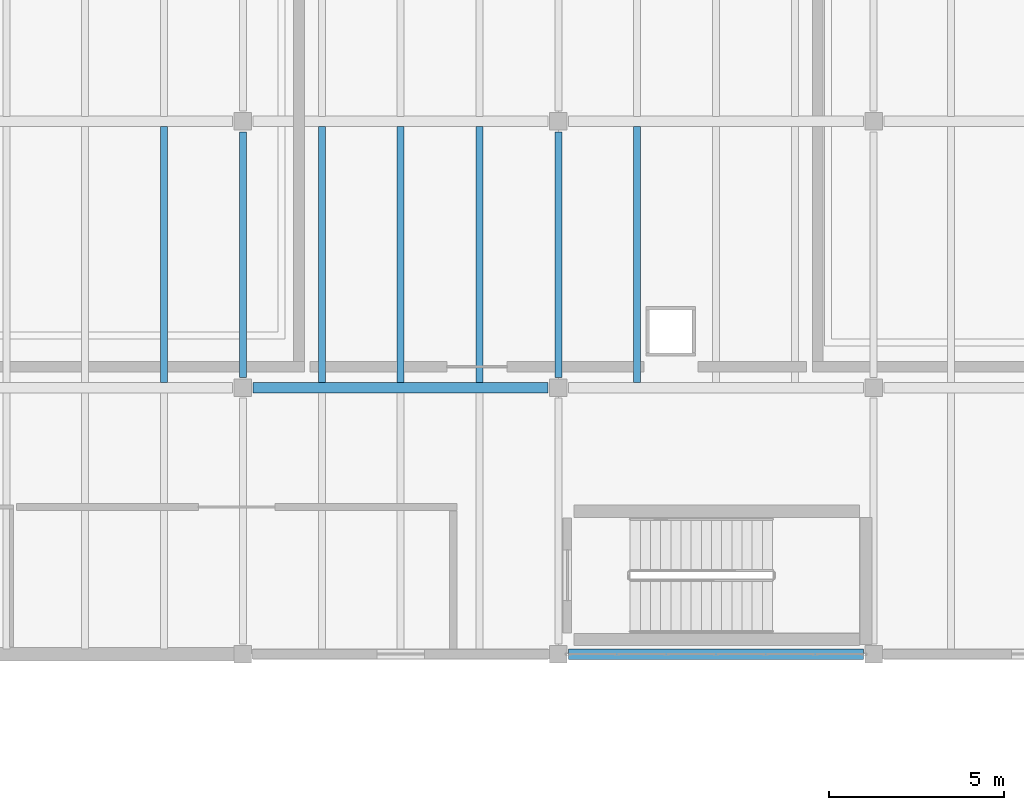
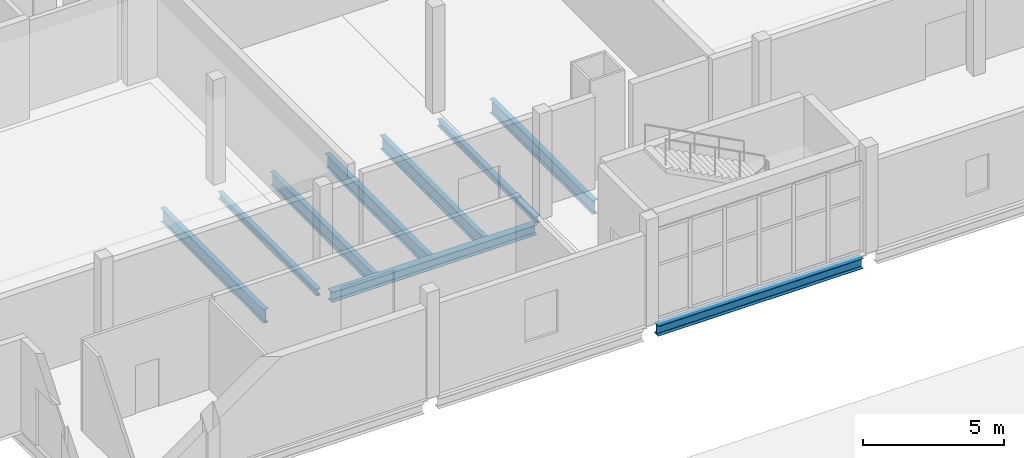
# One storey, part 43 of 74: 9 beams.
"""IFC4 building model written with IfcOpenShell, lengths in metres."""

from ifc_helpers import new_model, si_unit, direction, frame, origin, origin_2d, place, context, subcontext, project, spatial, i_section, extrude, material, material_profile, profile_set, type_object, element, save


model = new_model("IFC4")

# Units and contexts
model_context = context("Model", 3, precision=1e-05, world=origin(), true_north=direction((0.0, 1.0)))
body_context = subcontext(model_context, "Body", "Model", "MODEL_VIEW")
ifc_project = project(units=[si_unit("LENGTHUNIT", "METRE"), si_unit("AREAUNIT", "SQUARE_METRE"), si_unit("VOLUMEUNIT", "CUBIC_METRE"), si_unit("PLANEANGLEUNIT", "RADIAN"), si_unit("MASSUNIT", "GRAM", prefix="KILO")], contexts=[model_context])

# Site, building, storey
site_placement = place(None, origin())
site = spatial("IfcSite", under=ifc_project, at=site_placement, CompositionType="ELEMENT")
building_placement = place(site_placement, origin())
building = spatial("IfcBuilding", under=site, at=building_placement, Name="Shengluoqiao Park Theatre", CompositionType="ELEMENT")
storey_placement = place(building_placement, frame((0.0, 0.0, 14.60009765625)))
storey = spatial("IfcBuildingStorey", under=building, at=storey_placement, Name="L03", CompositionType="ELEMENT", Elevation=14.60009765625)

# Beams
ifc_material = material(Name="Steel Q355", Category="steel")
ifc_material_profile_1 = material_profile(ifc_material, i_section(OverallWidth=0.199951171875, OverallDepth=0.2939453125, WebThickness=0.008056640625, FlangeThickness=0.011962890625, FilletRadius=0.01611328125, at=origin_2d()), Name="HM 294x200x8x12")
ifc_profile_set_1 = profile_set([ifc_material_profile_1], Name="Steel Q355")
beam_type_1 = type_object("IfcBeamType", Name="STR-BM-G-HM294", PredefinedType="BEAM", material=ifc_profile_set_1)
for number, where, z_axis, x_axis, name in (
    (1, (130.39990234375, 91.89404296875, -0.38720703125), (0.0, 1.0, 0.0), (-1.0, 0.0, 0.0), "L03 Transverse Girder 01392"),
    (2, (139.39990234375, 91.89404296875, -0.38720703125), (0.0, 1.0, 0.0), (-1.0, 0.0, 0.0), "L03 Transverse Girder 01396"),
):
    element("IfcBeam", number, at=place(storey_placement, frame(where, z_axis=z_axis, x_axis=x_axis)), inside=storey, type_object=beam_type_1, Name=name, PredefinedType="BEAM", context=body_context, shape_type="SweptSolid", body=[
        extrude(i_section(OverallWidth=0.199951171875, OverallDepth=0.2939453125, WebThickness=0.008056640625, FlangeThickness=0.011962890625, FilletRadius=0.01611328125, at=origin_2d()), origin(), (0.0, 0.0, 1.0), 7.011962890625),
    ])
ifc_material_profile_2 = material_profile(ifc_material, i_section(OverallWidth=0.300048828125, OverallDepth=0.43994140625, WebThickness=0.010986328125, FlangeThickness=0.01806640625, FilletRadius=0.02001953125, at=origin_2d()), Name="HM 440x300x11x18")
ifc_profile_set_2 = profile_set([ifc_material_profile_2], Name="Steel Q355")
beam_type_2 = type_object("IfcBeamType", Name="STR-BM-G-HM440", PredefinedType="BEAM", material=ifc_profile_set_2)
for number, where, z_axis, x_axis, name in (
    (3, (130.694091796875, 91.60009765625, -0.460205078125), (1.0, 0.0, 0.0), (0.0, 1.0, 0.0), "L03 Primary Girder 01377"),
    (4, (139.694091796875, 84.0, -0.460205078125), (1.0, 0.0, 0.0), (0.0, 1.0, 0.0), "L03 Primary Girder 01429"),
):
    element("IfcBeam", number, at=place(storey_placement, frame(where, z_axis=z_axis, x_axis=x_axis)), inside=storey, type_object=beam_type_2, Name=name, PredefinedType="BEAM", context=body_context, shape_type="SweptSolid", body=[
        extrude(i_section(OverallWidth=0.300048828125, OverallDepth=0.43994140625, WebThickness=0.010986328125, FlangeThickness=0.01806640625, FilletRadius=0.02001953125, at=origin_2d()), origin(), (0.0, 0.0, 1.0), 8.411865234375),
    ])
ifc_material_profile_3 = material_profile(ifc_material, i_section(OverallWidth=0.199951171875, OverallDepth=0.60009765625, WebThickness=0.010986328125, FlangeThickness=0.01708984375, FilletRadius=0.02001953125, at=origin_2d()), Name="HN 600x200x11x17")
ifc_profile_set_3 = profile_set([ifc_material_profile_3], Name="Steel Q355")
beam_type_3 = type_object("IfcBeamType", Name="STR-BM-J-HN600", PredefinedType="JOIST", material=ifc_profile_set_3)
for number, where, z_axis, x_axis, name in (
    (5, (128.14990234375, 91.7451171875, -0.5400390625), (0.0, 1.0, 0.0), (-1.0, 0.0, 0.0), "L03 Composite Joist 01414"),
    (6, (132.64990234375, 91.7451171875, -0.5400390625), (0.0, 1.0, 0.0), (-1.0, 0.0, 0.0), "L03 Composite Joist 01423"),
    (7, (134.89990234375, 91.7451171875, -0.5400390625), (0.0, 1.0, 0.0), (-1.0, 0.0, 0.0), "L03 Composite Joist 01424"),
    (8, (137.14990234375, 91.7451171875, -0.5400390625), (0.0, 1.0, 0.0), (-1.0, 0.0, 0.0), "L03 Composite Joist 01425"),
    (9, (141.64990234375, 91.7451171875, -0.5400390625), (0.0, 1.0, 0.0), (-1.0, 0.0, 0.0), "L03 Composite Joist 01456"),
):
    element("IfcBeam", number, at=place(storey_placement, frame(where, z_axis=z_axis, x_axis=x_axis)), inside=storey, type_object=beam_type_3, Name=name, PredefinedType="JOIST", context=body_context, shape_type="SweptSolid", body=[
        extrude(i_section(OverallWidth=0.199951171875, OverallDepth=0.60009765625, WebThickness=0.010986328125, FlangeThickness=0.01708984375, FilletRadius=0.02001953125, at=origin_2d()), origin(), (0.0, 0.0, 1.0), 7.309814453125),
    ])

save(model, "model.ifc")
